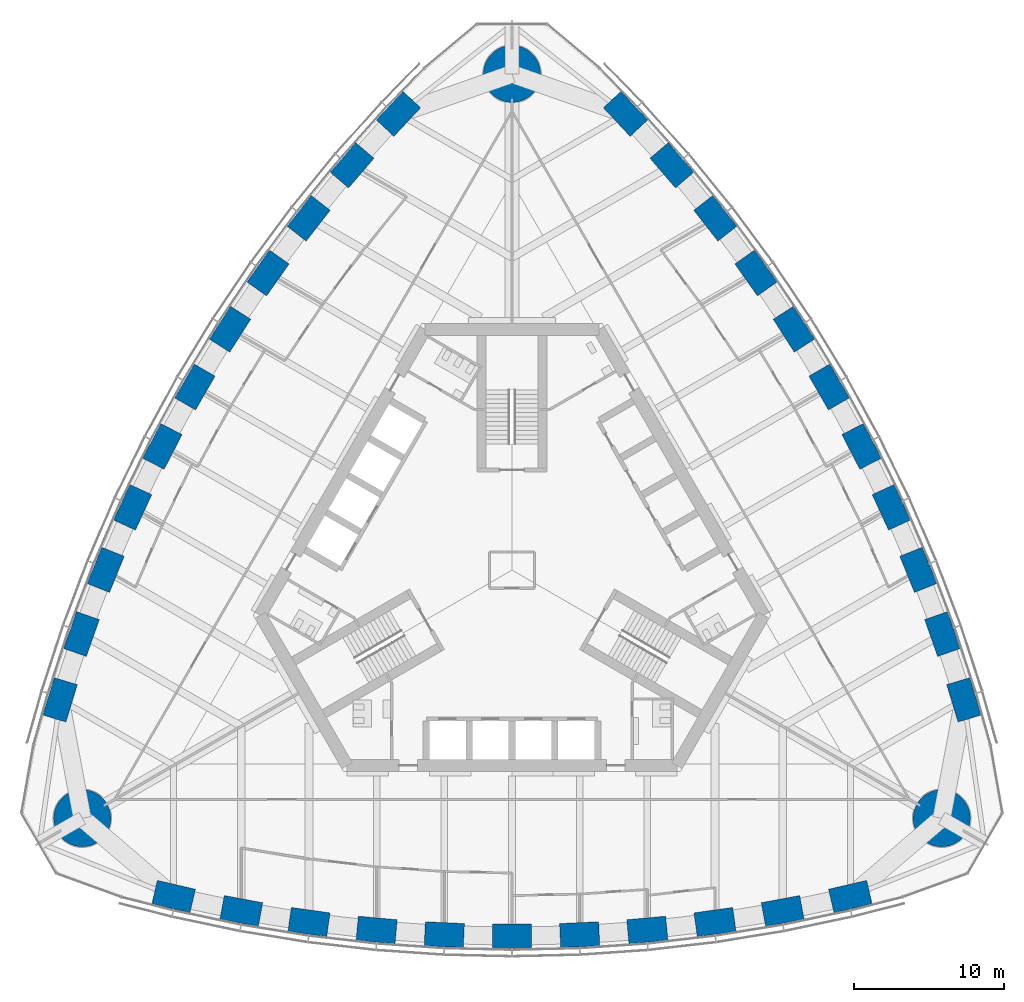
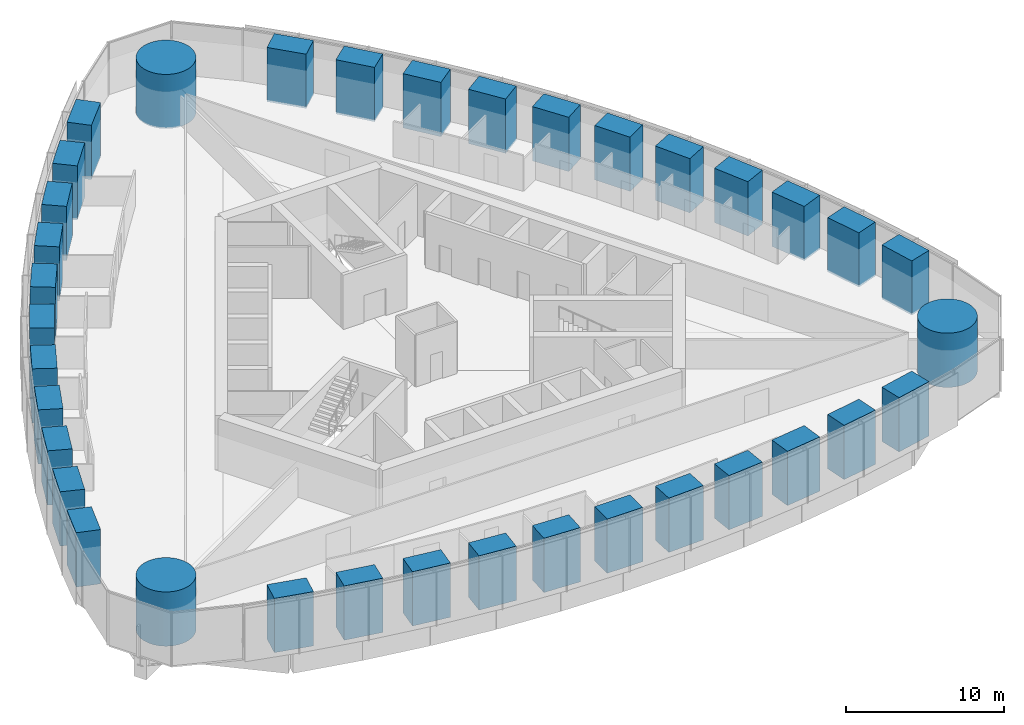
# One storey, part 1 of 19: 36 columns.
"""IFC4 building model written with IfcOpenShell, lengths in metres."""

from ifc_helpers import new_model, si_unit, direction, frame, origin, origin_2d, place, context, subcontext, project, spatial, rectangle, circle, extrude, material, material_profile, profile_set, type_object, element, save


model = new_model("IFC4")

# Units and contexts
model_context = context("Model", 3, precision=1e-05, world=origin(), true_north=direction((0.0, 1.0)))
body_context = subcontext(model_context, "Body", "Model", "MODEL_VIEW")
ifc_project = project(units=[si_unit("LENGTHUNIT", "METRE"), si_unit("AREAUNIT", "SQUARE_METRE"), si_unit("VOLUMEUNIT", "CUBIC_METRE"), si_unit("PLANEANGLEUNIT", "RADIAN"), si_unit("MASSUNIT", "GRAM", prefix="KILO")], contexts=[model_context])

# Site, building, storey
site_placement = place(None, origin())
site = spatial("IfcSite", under=ifc_project, at=site_placement, CompositionType="ELEMENT")
building_placement = place(site_placement, origin())
building = spatial("IfcBuilding", under=site, at=building_placement, Name="Trefoil Bronze Tower", CompositionType="ELEMENT")
storey_placement = place(building_placement, frame((0.0, 0.0, 189.699951171875)))
storey = spatial("IfcBuildingStorey", under=building, at=storey_placement, Name="L43", CompositionType="ELEMENT", Elevation=189.699951171875)

# Columns
ifc_material_1 = material(Name="Concrete B80", Category="concrete")
ifc_material_profile_1 = material_profile(ifc_material_1, circle(Radius=1.89990234375, at=origin_2d()), Name="RC D3800")
ifc_profile_set_1 = profile_set([ifc_material_profile_1], Name="Concrete B80")
column_type_1 = type_object("IfcColumnType", Name="Mega column RC D3800", PredefinedType="COLUMN", material=ifc_profile_set_1)
for number, where, z_axis, x_axis, name in (
    (1, (28.578857421875, -16.5, 0.0), (0.0, 0.0, 1.0), (1.0, 0.0, 0.0), "Mega column K1 L43"),
    (2, (0.0, 33.0, 0.0), (0.0, 0.0, 1.0), (1.0, 0.0, 0.0), "Mega column K2 L43"),
    (3, (-28.578857421875, -16.5, 0.0), (0.0, 0.0, 1.0), (1.0, 0.0, 0.0), "Mega column K3 L43"),
):
    element("IfcColumn", number, at=place(storey_placement, frame(where, z_axis=z_axis, x_axis=x_axis)), inside=storey, type_object=column_type_1, Name=name, PredefinedType="COLUMN", context=body_context, shape_type="SweptSolid", body=[
        extrude(circle(Radius=1.89990234375, at=origin_2d()), origin(), (0.0, 0.0, 1.0), 4.199951171875),
    ])
ifc_material_2 = material(Name="Concrete B80", Category="concrete")
ifc_material_profile_2 = material_profile(ifc_material_2, rectangle(XDim=2.60009765625, YDim=1.60009765625, at=origin_2d()), Name="RC 2600x1600")
ifc_profile_set_2 = profile_set([ifc_material_profile_2], Name="Concrete B80")
column_type_2 = type_object("IfcColumnType", Name="Tube column RC 2600x1600", PredefinedType="COLUMN", material=ifc_profile_set_2)
for number, where, z_axis, x_axis, name in (
    (4, (-22.5, -21.71044921875, 0.0), (0.0, 0.0, 1.0), (0.973875487093, -0.227082662569, 0.0), "Tube column F1/-5 L43"),
    (5, (-18.0, -22.6689453125, 0.0), (0.0, 0.0, 1.0), (0.982958917767, -0.183825368167, 0.0), "Tube column F1/-4 L43"),
    (6, (-13.5, -23.408447265625, 0.0), (0.0, 0.0, 1.0), (0.990450627582, -0.137867887204, 0.0), "Tube column F1/-3 L43"),
    (7, (-9.0, -23.932861328125, 0.0), (0.0, 0.0, 1.0), (0.995767189263, -0.091911396394, 0.0), "Tube column F1/-2 L43"),
    (8, (-4.5, -24.246337890625, 0.0), (0.0, 0.0, 1.0), (0.998943485952, -0.045955542372, 0.0), "Tube column F1/-1 L43"),
    (9, (0.0, -24.3505859375, 0.0), (0.0, 0.0, 1.0), (1.0, 0.0, 0.0), "Tube column F1/+0 L43"),
    (10, (4.5, -24.246337890625, 0.0), (0.0, 0.0, 1.0), (0.998943485952, 0.045955542372, 0.0), "Tube column F1/+1 L43"),
    (11, (9.0, -23.932861328125, 0.0), (0.0, 0.0, 1.0), (0.995767189263, 0.091911396394, 0.0), "Tube column F1/+2 L43"),
    (12, (13.5, -23.408447265625, 0.0), (0.0, 0.0, 1.0), (0.990450627582, 0.137867887204, 0.0), "Tube column F1/+3 L43"),
    (13, (18.0, -22.6689453125, 0.0), (0.0, 0.0, 1.0), (0.982958917767, 0.183825368167, 0.0), "Tube column F1/+4 L43"),
    (14, (22.5, -21.71044921875, 0.0), (0.0, 0.0, 1.0), (0.973875487093, 0.227082662569, 0.0), "Tube column F1/+5 L43"),
    (15, (30.052001953125, -8.63037109375, 0.0), (0.0, 0.0, 1.0), (-0.290278389002, 0.95694224323, 0.0), "Tube column F2/-5 L43"),
    (16, (28.632080078125, -4.25390625, 0.0), (0.0, 0.0, 1.0), (-0.332282020191, 0.943180077746, 0.0), "Tube column F2/-4 L43"),
    (17, (27.022216796875, 0.012939453125, 0.0), (0.0, 0.0, 1.0), (-0.375828221106, 0.926689348282, 0.0), "Tube column F2/-3 L43"),
    (18, (25.2265625, 4.17236328125, 0.0), (0.0, 0.0, 1.0), (-0.418285990457, 0.908315380354, 0.0), "Tube column F2/-2 L43"),
    (19, (23.248046875, 8.22607421875, 0.0), (0.0, 0.0, 1.0), (-0.459673075837, 0.888088206965, 0.0), "Tube column F2/-1 L43"),
    (20, (21.08837890625, 12.17529296875, 0.0), (0.0, 0.0, 1.0), (-0.5, 0.866025403784, 0.0), "Tube column F2/+0 L43"),
    (21, (18.748046875, 16.020263671875, 0.0), (0.0, 0.0, 1.0), (-0.539270410114, 0.842132664593, 0.0), "Tube column F2/+1 L43"),
    (22, (16.2265625, 19.7607421875, 0.0), (0.0, 0.0, 1.0), (-0.577481198806, 0.81640398396, 0.0), "Tube column F2/+2 L43"),
    (23, (13.522216796875, 23.3955078125, 0.0), (0.0, 0.0, 1.0), (-0.614622406476, 0.788821461078, 0.0), "Tube column F2/+3 L43"),
    (24, (10.632080078125, 26.923095703125, 0.0), (0.0, 0.0, 1.0), (-0.650676897576, 0.75935470958, 0.0), "Tube column F2/+4 L43"),
    (25, (7.552001953125, 30.3408203125, 0.0), (0.0, 0.0, 1.0), (-0.683597098091, 0.729859580661, 0.0), "Tube column F2/+5 L43"),
    (26, (-7.552001953125, 30.3408203125, 0.0), (0.0, 0.0, 1.0), (-0.683597098091, -0.729859580661, 0.0), "Tube column F3/-5 L43"),
    (27, (-10.632080078125, 26.923095703125, 0.0), (0.0, 0.0, 1.0), (-0.650676897576, -0.75935470958, 0.0), "Tube column F3/-4 L43"),
    (28, (-13.522216796875, 23.3955078125, 0.0), (0.0, 0.0, 1.0), (-0.614622406476, -0.788821461078, 0.0), "Tube column F3/-3 L43"),
    (29, (-16.2265625, 19.7607421875, 0.0), (0.0, 0.0, 1.0), (-0.577481198806, -0.81640398396, 0.0), "Tube column F3/-2 L43"),
    (30, (-18.748046875, 16.020263671875, 0.0), (0.0, 0.0, 1.0), (-0.539270410114, -0.842132664593, 0.0), "Tube column F3/-1 L43"),
    (31, (-21.08837890625, 12.17529296875, 0.0), (0.0, 0.0, 1.0), (-0.5, -0.866025403784, 0.0), "Tube column F3/+0 L43"),
    (32, (-23.248046875, 8.22607421875, 0.0), (0.0, 0.0, 1.0), (-0.459673075837, -0.888088206965, 0.0), "Tube column F3/+1 L43"),
    (33, (-25.2265625, 4.17236328125, 0.0), (0.0, 0.0, 1.0), (-0.418285990457, -0.908315380354, 0.0), "Tube column F3/+2 L43"),
    (34, (-27.022216796875, 0.012939453125, 0.0), (0.0, 0.0, 1.0), (-0.375828221106, -0.926689348282, 0.0), "Tube column F3/+3 L43"),
    (35, (-28.632080078125, -4.25390625, 0.0), (0.0, 0.0, 1.0), (-0.332282020191, -0.943180077746, 0.0), "Tube column F3/+4 L43"),
    (36, (-30.052001953125, -8.63037109375, 0.0), (0.0, 0.0, 1.0), (-0.290278389002, -0.95694224323, 0.0), "Tube column F3/+5 L43"),
):
    element("IfcColumn", number, at=place(storey_placement, frame(where, z_axis=z_axis, x_axis=x_axis)), inside=storey, type_object=column_type_2, Name=name, PredefinedType="COLUMN", context=body_context, shape_type="SweptSolid", body=[
        extrude(rectangle(XDim=2.60009765625, YDim=1.60009765625, at=origin_2d()), origin(), (0.0, 0.0, 1.0), 4.199951171875),
    ])

save(model, "model.ifc")
